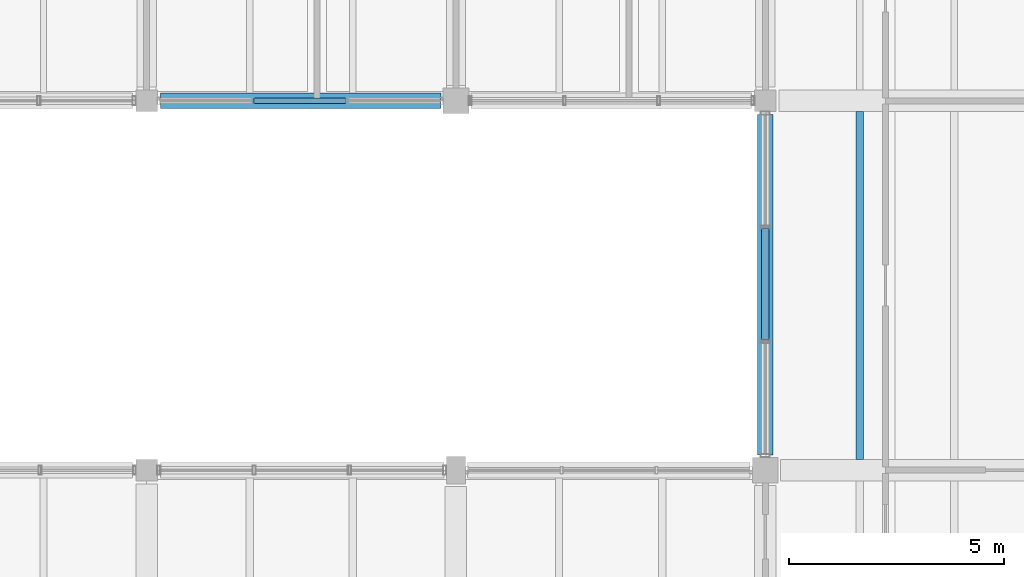
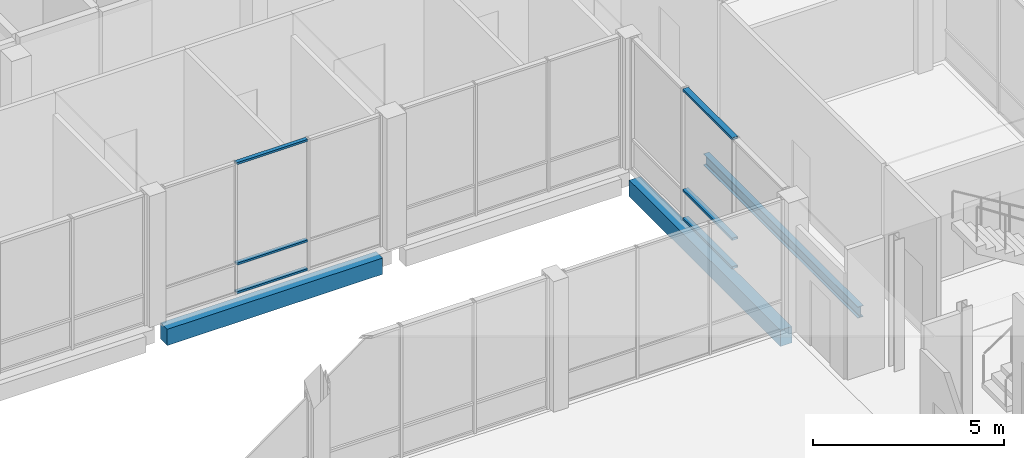
# One storey, part 39 of 104: 6 members, 3 beams, 2 elements without a shape of their own.
"""IFC4 building model written with IfcOpenShell, lengths in metres."""

from ifc_helpers import new_model, si_unit, direction, frame, origin, origin_2d, place, context, subcontext, project, spatial, rectangle, hollow_rectangle, i_section, extrude, material, material_profile, profile_set, type_object, element, aggregate, save


model = new_model("IFC4")

# Units and contexts
model_context = context("Model", 3, precision=1e-05, world=origin(), true_north=direction((0.0, 1.0)))
body_context = subcontext(model_context, "Body", "Model", "MODEL_VIEW")
ifc_project = project(units=[si_unit("LENGTHUNIT", "METRE"), si_unit("AREAUNIT", "SQUARE_METRE"), si_unit("VOLUMEUNIT", "CUBIC_METRE"), si_unit("PLANEANGLEUNIT", "RADIAN"), si_unit("MASSUNIT", "GRAM", prefix="KILO")], contexts=[model_context])

# Site, building, storey
site_placement = place(None, origin())
site = spatial("IfcSite", under=ifc_project, at=site_placement, CompositionType="ELEMENT")
building_placement = place(site_placement, origin())
building = spatial("IfcBuilding", under=site, at=building_placement, Name="Hawrajan Terrace Health Centre", CompositionType="ELEMENT")
storey_placement = place(building_placement, origin())
storey = spatial("IfcBuildingStorey", under=building, at=storey_placement, Name="L00", CompositionType="ELEMENT", Elevation=0.0)

# Curtain wall, members
ifc_material_1 = material(Name="Anodized bronze aluminium and low-E solar glazing", Category="aluminium")
curtain_wall_type_1 = type_object("IfcCurtainWallType", Name="CW_Diagnostic_SeriesM2", PredefinedType="USERDEFINED", material=ifc_material_1)
curtain_wall_1_placement = place(storey_placement, origin())
curtain_wall_1 = element("IfcCurtainWall", 1, at=curtain_wall_1_placement, inside=storey, type_object=curtain_wall_type_1, Name="Curtain wall CW-L00-024", ObjectType="UNITISED CURTAIN WALL", PredefinedType="USERDEFINED")
ifc_material_2 = material(Name="Anodized bronze aluminium 6063-T6", Category="aluminium")
ifc_material_profile_1 = material_profile(ifc_material_2, hollow_rectangle(XDim=0.06494140625, YDim=0.1201171875, WallThickness=0.00341796875, at=origin_2d()), Name="CW TRN 65x120")
ifc_profile_set_1 = profile_set([ifc_material_profile_1], Name="Anodized bronze aluminium 6063-T6")
member_type_1 = type_object("IfcMemberType", Name="CWTransom_65x120", PredefinedType="USERDEFINED", material=ifc_profile_set_1)
member_1_placement = place(storey_placement, frame((50.303955078125, 45.39990234375, 0.032470703125), z_axis=(1.0, 0.0, 0.0), x_axis=(0.0, 0.0, 1.0)))
member_1 = element("IfcMember", 2, at=member_1_placement, type_object=member_type_1, Name="Transom CW-L00-024-T2-1", ObjectType="TRANSOM", PredefinedType="USERDEFINED", context=body_context, shape_type="SweptSolid", body=[
    extrude(hollow_rectangle(XDim=0.06494140625, YDim=0.1201171875, WallThickness=0.00341796875, at=origin_2d()), origin(), (0.0, 0.0, 1.0), 2.14208984375),
])
member_2_placement = place(storey_placement, frame((50.303955078125, 45.39990234375, 0.949951171875), z_axis=(1.0, 0.0, 0.0), x_axis=(0.0, 0.0, 1.0)))
member_2 = element("IfcMember", 3, at=member_2_placement, type_object=member_type_1, Name="Transom CW-L00-024-T2-2", ObjectType="TRANSOM", PredefinedType="USERDEFINED", context=body_context, shape_type="SweptSolid", body=[
    extrude(hollow_rectangle(XDim=0.06494140625, YDim=0.1201171875, WallThickness=0.00341796875, at=origin_2d()), origin(), (0.0, 0.0, 1.0), 2.14208984375),
])
member_3_placement = place(storey_placement, frame((50.303955078125, 45.39990234375, 4.16748046875), z_axis=(1.0, 0.0, 0.0), x_axis=(0.0, 0.0, 1.0)))
member_3 = element("IfcMember", 4, at=member_3_placement, type_object=member_type_1, Name="Transom CW-L00-024-T2-3", ObjectType="TRANSOM", PredefinedType="USERDEFINED", context=body_context, shape_type="SweptSolid", body=[
    extrude(hollow_rectangle(XDim=0.06494140625, YDim=0.1201171875, WallThickness=0.00341796875, at=origin_2d()), origin(), (0.0, 0.0, 1.0), 2.14208984375),
])
aggregate(curtain_wall_1, [member_1, member_2, member_3])

curtain_wall_type_2 = type_object("IfcCurtainWallType", Name="CW_CourtNS_SeriesC2", PredefinedType="USERDEFINED", material=ifc_material_1)
curtain_wall_2_placement = place(storey_placement, origin())
curtain_wall_2 = element("IfcCurtainWall", 5, at=curtain_wall_2_placement, inside=storey, type_object=curtain_wall_type_2, Name="Curtain wall CW-L00-032", ObjectType="UNITISED CURTAIN WALL", PredefinedType="USERDEFINED")
ifc_material_profile_2 = material_profile(ifc_material_2, hollow_rectangle(XDim=0.074951171875, YDim=0.169921875, WallThickness=0.00439453125, at=origin_2d()), Name="CW TRN 75x170")
ifc_profile_set_2 = profile_set([ifc_material_profile_2], Name="Anodized bronze aluminium 6063-T6")
member_type_2 = type_object("IfcMemberType", Name="CWTransom_75x170", PredefinedType="USERDEFINED", material=ifc_profile_set_2)
member_4_placement = place(storey_placement, frame((62.199951171875, 39.827392578125, 0.03759765625), z_axis=(0.0, 1.0, 0.0), x_axis=(0.0, 0.0, 1.0)))
member_4 = element("IfcMember", 6, at=member_4_placement, type_object=member_type_2, Name="Transom CW-L00-032-T2-1", ObjectType="TRANSOM", PredefinedType="USERDEFINED", context=body_context, shape_type="SweptSolid", body=[
    extrude(hollow_rectangle(XDim=0.074951171875, YDim=0.169921875, WallThickness=0.00439453125, at=origin_2d()), origin(), (0.0, 0.0, 1.0), 2.59521484375),
])
member_5_placement = place(storey_placement, frame((62.199951171875, 39.827392578125, 0.949951171875), z_axis=(0.0, 1.0, 0.0), x_axis=(0.0, 0.0, 1.0)))
member_5 = element("IfcMember", 7, at=member_5_placement, type_object=member_type_2, Name="Transom CW-L00-032-T2-2", ObjectType="TRANSOM", PredefinedType="USERDEFINED", context=body_context, shape_type="SweptSolid", body=[
    extrude(hollow_rectangle(XDim=0.074951171875, YDim=0.169921875, WallThickness=0.00439453125, at=origin_2d()), origin(), (0.0, 0.0, 1.0), 2.59521484375),
])
member_6_placement = place(storey_placement, frame((62.199951171875, 39.827392578125, 4.16259765625), z_axis=(0.0, 1.0, 0.0), x_axis=(0.0, 0.0, 1.0)))
member_6 = element("IfcMember", 8, at=member_6_placement, type_object=member_type_2, Name="Transom CW-L00-032-T2-3", ObjectType="TRANSOM", PredefinedType="USERDEFINED", context=body_context, shape_type="SweptSolid", body=[
    extrude(hollow_rectangle(XDim=0.074951171875, YDim=0.169921875, WallThickness=0.00439453125, at=origin_2d()), origin(), (0.0, 0.0, 1.0), 2.59521484375),
])
aggregate(curtain_wall_2, [member_4, member_5, member_6])

# Beams
ifc_material_3 = material(Name="Concrete C40/50", Category="concrete")
ifc_material_profile_3 = material_profile(ifc_material_3, rectangle(XDim=0.35009765625, YDim=0.52001953125, at=origin_2d()), Name="RC SP 350x520")
ifc_profile_set_3 = profile_set([ifc_material_profile_3], Name="Concrete C40/50")
beam_type_1 = type_object("IfcBeamType", Name="RCSpandrel_350x520", PredefinedType="SPANDREL", material=ifc_profile_set_3)
beam_1_placement = place(storey_placement, frame((48.125, 45.39990234375, -0.56005859375), z_axis=(1.0, 0.0, 0.0), x_axis=(0.0, 1.0, 0.0)))
element("IfcBeam", 9, at=beam_1_placement, inside=storey, type_object=beam_type_1, Name="Beam BM-X-L00-W-07-Y6", PredefinedType="SPANDREL", context=body_context, shape_type="SweptSolid", body=[
    extrude(rectangle(XDim=0.35009765625, YDim=0.52001953125, at=origin_2d()), origin(), (0.0, 0.0, 1.0), 6.52490234375),
])
beam_2_placement = place(storey_placement, frame((62.199951171875, 37.14990234375, -0.56005859375), z_axis=(0.0, 1.0, 0.0), x_axis=(-1.0, 0.0, 0.0)))
element("IfcBeam", 10, at=beam_2_placement, inside=storey, type_object=beam_type_1, Name="Beam BM-Y-L00-W-X09-5", PredefinedType="SPANDREL", context=body_context, shape_type="SweptSolid", body=[
    extrude(rectangle(XDim=0.35009765625, YDim=0.52001953125, at=origin_2d()), origin(), (0.0, 0.0, 1.0), 7.925048828125),
])
ifc_material_4 = material(Name="Steel S355", Category="steel")
ifc_material_profile_4 = material_profile(ifc_material_4, i_section(OverallWidth=0.169921875, OverallDepth=0.360107421875, WebThickness=0.008056640625, FlangeThickness=0.0126953125, FilletRadius=0.01806640625, at=origin_2d()), Name="IPE 360")
ifc_profile_set_4 = profile_set([ifc_material_profile_4], Name="Steel S355")
beam_type_2 = type_object("IfcBeamType", Name="SteelBeam_IPE360", PredefinedType="BEAM", material=ifc_profile_set_4)
beam_3_placement = place(storey_placement, frame((64.39990234375, 37.050048828125, -0.47998046875), z_axis=(0.0, 1.0, 0.0), x_axis=(-1.0, 0.0, 0.0)))
element("IfcBeam", 11, at=beam_3_placement, inside=storey, type_object=beam_type_2, Name="Secondary joist JST-L00-W-09-5-1", PredefinedType="BEAM", context=body_context, shape_type="SweptSolid", body=[
    extrude(i_section(OverallWidth=0.169921875, OverallDepth=0.360107421875, WebThickness=0.008056640625, FlangeThickness=0.0126953125, FilletRadius=0.01806640625, at=origin_2d()), origin(), (0.0, 0.0, 1.0), 8.099853515625),
])

save(model, "model.ifc")
